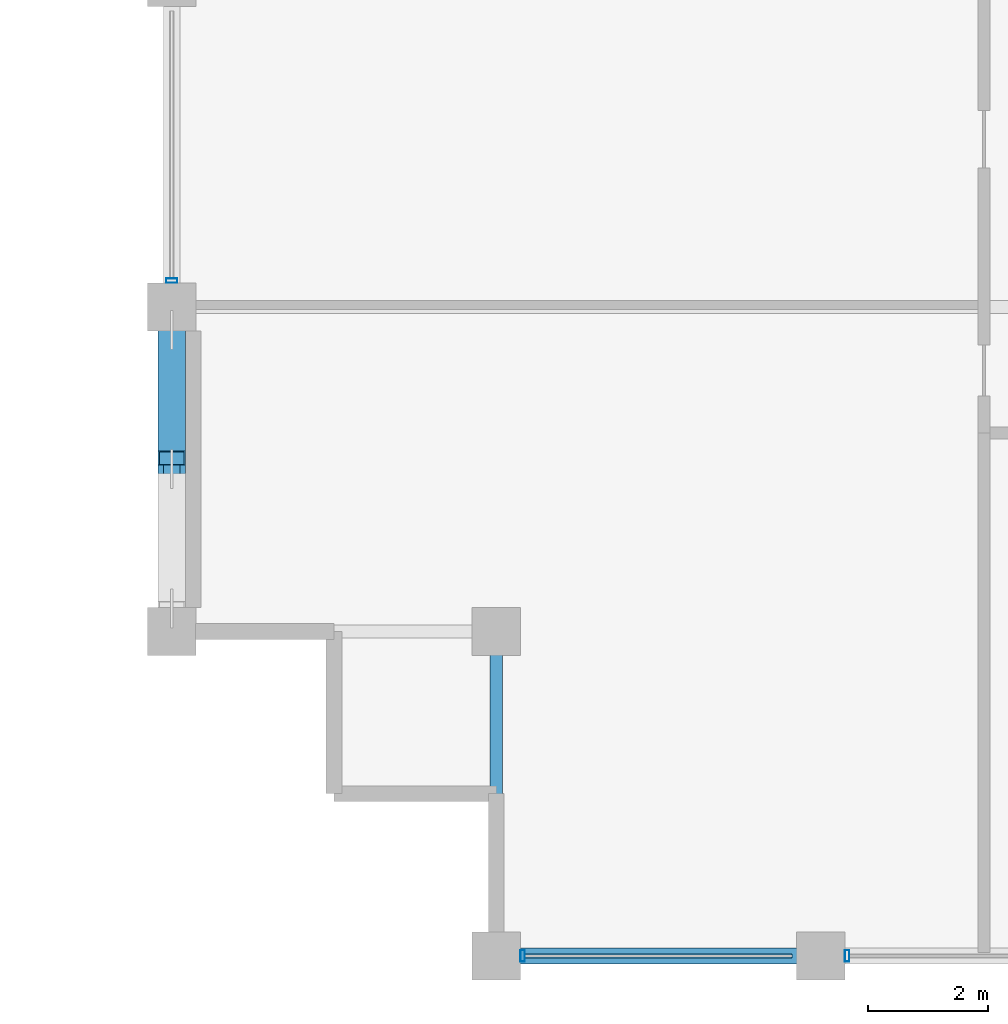
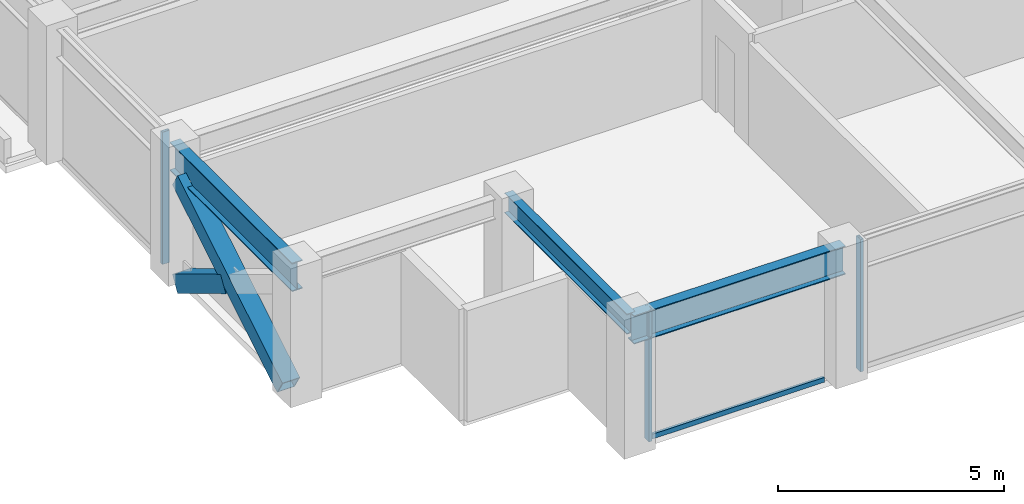
# One storey, part 2 of 28: 6 members, 3 beams, 2 elements without a shape of their own.
"""IFC4 building model written with IfcOpenShell, lengths in metres."""

from ifc_helpers import new_model, si_unit, direction, frame, origin, origin_2d, place, context, subcontext, project, spatial, hollow_rectangle, i_section, extrude, material, layer, layer_set, material_profile, profile_set, type_object, element, aggregate, save


model = new_model("IFC4")

# Units and contexts
model_context = context("Model", 3, precision=1e-05, world=origin(), true_north=direction((0.0, 1.0)))
body_context = subcontext(model_context, "Body", "Model", "MODEL_VIEW")
ifc_project = project(units=[si_unit("LENGTHUNIT", "METRE"), si_unit("AREAUNIT", "SQUARE_METRE"), si_unit("VOLUMEUNIT", "CUBIC_METRE"), si_unit("PLANEANGLEUNIT", "RADIAN"), si_unit("MASSUNIT", "GRAM", prefix="KILO")], contexts=[model_context])

# Site, building, storey
site_placement = place(None, origin())
site = spatial("IfcSite", under=ifc_project, at=site_placement, CompositionType="ELEMENT")
building_placement = place(site_placement, origin())
building = spatial("IfcBuilding", under=site, at=building_placement, Name="Surkhivell Harbour Commons", CompositionType="ELEMENT")
storey_placement = place(building_placement, frame((0.0, 0.0, 238.5)))
storey = spatial("IfcBuildingStorey", under=building, at=storey_placement, Name="L62", CompositionType="ELEMENT", Elevation=238.5)

# Beams
ifc_material_1 = material(Name="Steel S355", Category="steel")
ifc_material_profile_1 = material_profile(ifc_material_1, i_section(OverallWidth=0.2119140625, OverallDepth=0.5439453125, WebThickness=0.0126953125, FlangeThickness=0.021240234375, at=origin_2d()), Name="UB533x210x122")
ifc_profile_set_1 = profile_set([ifc_material_profile_1], Name="Steel S355")
beam_type_1 = type_object("IfcBeamType", Name="BM-GRD-533A", PredefinedType="BEAM", material=ifc_profile_set_1)
beam_1_placement = place(storey_placement, frame((-21.60009765625, -21.60009765625, 3.298095703125), z_axis=(0.0, 1.0, 0.0), x_axis=(-1.0, 0.0, 0.0)))
element("IfcBeam", 1, at=beam_1_placement, inside=storey, type_object=beam_type_1, Name="L62 Floor Girder (-21.6,-21.6)", PredefinedType="BEAM", context=body_context, shape_type="SweptSolid", body=[
    extrude(i_section(OverallWidth=0.2119140625, OverallDepth=0.5439453125, WebThickness=0.0126953125, FlangeThickness=0.021240234375, at=origin_2d()), origin(), (0.0, 0.0, 1.0), 5.400146484375),
])
ifc_material_profile_2 = material_profile(ifc_material_1, i_section(OverallWidth=0.26806640625, OverallDepth=0.77001953125, WebThickness=0.015625, FlangeThickness=0.025390625, at=origin_2d()), Name="UB762x267x197")
ifc_profile_set_2 = profile_set([ifc_material_profile_2], Name="Steel S355")
beam_type_2 = type_object("IfcBeamType", Name="BM-SPN-762", PredefinedType="SPANDREL", material=ifc_profile_set_2)
beam_2_placement = place(storey_placement, frame((-27.0, -16.199951171875, 3.18505859375), z_axis=(0.0, 1.0, 0.0), x_axis=(-1.0, 0.0, 0.0)))
element("IfcBeam", 2, at=beam_2_placement, inside=storey, type_object=beam_type_2, Name="L62 Tube Spandrel (-27.0,-16.2)", PredefinedType="SPANDREL", context=body_context, shape_type="SweptSolid", body=[
    extrude(i_section(OverallWidth=0.26806640625, OverallDepth=0.77001953125, WebThickness=0.015625, FlangeThickness=0.025390625, at=origin_2d()), origin(), (0.0, 0.0, 1.0), 5.39990234375),
])
beam_3_placement = place(storey_placement, frame((-21.60009765625, -21.60009765625, 3.18505859375), z_axis=(1.0, 0.0, 0.0), x_axis=(0.0, 1.0, 0.0)))
element("IfcBeam", 3, at=beam_3_placement, inside=storey, type_object=beam_type_2, Name="L62 Tube Spandrel (-21.6,-21.6)", PredefinedType="SPANDREL", context=body_context, shape_type="SweptSolid", body=[
    extrude(i_section(OverallWidth=0.26806640625, OverallDepth=0.77001953125, WebThickness=0.015625, FlangeThickness=0.025390625, at=origin_2d()), origin(), (0.0, 0.0, 1.0), 5.400146484375),
])

# Curtain wall, members
ifc_material_2 = material(Name="Anodised pale-metal aluminium and insulated glazing", Category="aluminium")
ifc_layer = layer(ifc_material_2, 0.18994140625)
ifc_layer_set = layer_set([ifc_layer], Name="Anodised pale-metal aluminium and insulated glazing")
curtain_wall_type = type_object("IfcCurtainWallType", Name="CW-SYS-Z3", PredefinedType="NOTDEFINED", material=ifc_layer_set)
curtain_wall_1_placement = place(storey_placement, origin())
curtain_wall_1 = element("IfcCurtainWall", 4, at=curtain_wall_1_placement, inside=storey, type_object=curtain_wall_type, Name="L62 Curtain Wall CW-L62-E00S1", PredefinedType="NOTDEFINED")
ifc_material_3 = material(Name="Anodised pale-metal aluminium alloy 6063-T6", Category="aluminium")
ifc_material_profile_3 = material_profile(ifc_material_3, hollow_rectangle(XDim=0.074951171875, YDim=0.18994140625, WallThickness=0.00390625, at=origin_2d()), Name="ALU-MULL-75x190")
ifc_profile_set_3 = profile_set([ifc_material_profile_3], Name="Anodised pale-metal aluminium alloy 6063-T6")
member_type_1 = type_object("IfcMemberType", Name="CWM-190", PredefinedType="MULLION", material=ifc_profile_set_3)
member_1_placement = place(storey_placement, frame((-21.160400390625, -21.60009765625, 0.0), z_axis=(0.0, 0.0, 1.0), x_axis=(1.0, 0.0, 0.0)))
member_1 = element("IfcMember", 5, at=member_1_placement, type_object=member_type_1, Name="CW-Z3 mullion 1", PredefinedType="MULLION", context=body_context, shape_type="SweptSolid", body=[
    extrude(hollow_rectangle(XDim=0.074951171875, YDim=0.18994140625, WallThickness=0.00390625, at=origin_2d()), origin(), (0.0, 0.0, 1.0), 3.570068359375),
])
member_2_placement = place(storey_placement, frame((-15.760498046875, -21.60009765625, 0.0), z_axis=(0.0, 0.0, 1.0), x_axis=(1.0, 0.0, 0.0)))
member_2 = element("IfcMember", 6, at=member_2_placement, type_object=member_type_1, Name="CW-Z3 mullion 2", PredefinedType="MULLION", context=body_context, shape_type="SweptSolid", body=[
    extrude(hollow_rectangle(XDim=0.074951171875, YDim=0.18994140625, WallThickness=0.00390625, at=origin_2d()), origin(), (0.0, 0.0, 1.0), 3.570068359375),
])

# Curtain wall, member
curtain_wall_2_placement = place(storey_placement, origin())
curtain_wall_2 = element("IfcCurtainWall", 7, at=curtain_wall_2_placement, inside=storey, type_object=curtain_wall_type, Name="L62 Curtain Wall CW-L62-E12R1S1", PredefinedType="NOTDEFINED")
member_3_placement = place(storey_placement, frame((-27.0, -10.360595703125, 0.0), z_axis=(0.0, 0.0, 1.0), x_axis=(0.0, 1.0, 0.0)))
member_3 = element("IfcMember", 8, at=member_3_placement, type_object=member_type_1, Name="CW-Z3 mullion 1", PredefinedType="MULLION", context=body_context, shape_type="SweptSolid", body=[
    extrude(hollow_rectangle(XDim=0.074951171875, YDim=0.18994140625, WallThickness=0.00390625, at=origin_2d()), origin(), (0.0, 0.0, 1.0), 3.570068359375),
])
aggregate(curtain_wall_2, [member_3])

# Member
ifc_material_4 = material(Name="Champagne anodised aluminium alloy 6063-T6", Category="aluminium")
ifc_material_profile_4 = material_profile(ifc_material_4, hollow_rectangle(XDim=0.070068359375, YDim=0.1298828125, WallThickness=0.00341796875, at=origin_2d()), Name="ALU-TRAN-70x130")
ifc_profile_set_4 = profile_set([ifc_material_profile_4], Name="Champagne anodised aluminium alloy 6063-T6")
member_type_2 = type_object("IfcMemberType", Name="CWT-130", PredefinedType="USERDEFINED", material=ifc_profile_set_4)
member_4_placement = place(storey_placement, frame((-21.123046875, -21.60009765625, 0.06494140625), z_axis=(1.0, 0.0, 0.0), x_axis=(0.0, 1.0, 0.0)))
member_4 = element("IfcMember", 9, at=member_4_placement, type_object=member_type_2, Name="CW-Z3 transom 1.1", ObjectType="TRANSOM", PredefinedType="USERDEFINED", context=body_context, shape_type="SweptSolid", body=[
    extrude(hollow_rectangle(XDim=0.070068359375, YDim=0.1298828125, WallThickness=0.00341796875, at=origin_2d()), origin(), (0.0, 0.0, 1.0), 4.446044921875),
])

aggregate(curtain_wall_1, [member_1, member_4, member_2])

# Members
ifc_material_5 = material(Name="Steel S460", Category="steel")
ifc_material_profile_5 = material_profile(ifc_material_5, hollow_rectangle(XDim=0.449951171875, YDim=0.449951171875, WallThickness=0.02197265625, at=origin_2d()), Name="SHS450x450x22")
ifc_profile_set_5 = profile_set([ifc_material_profile_5], Name="Steel S460")
member_type_3 = type_object("IfcMemberType", Name="MEM-BRC-SHS450", PredefinedType="BRACE", material=ifc_profile_set_5)
member_5_placement = place(storey_placement, frame((-27.0, -15.81494140625, 0.008056640625), z_axis=(0.0, 0.856023742961, 0.516936506243), x_axis=(-1.0, 0.0, 0.0)))
element("IfcMember", 10, at=member_5_placement, inside=storey, type_object=member_type_3, Name="L62 Perimeter Mega-Brace MB- 10", PredefinedType="BRACE", context=body_context, shape_type="SweptSolid", body=[
    extrude(hollow_rectangle(XDim=0.449951171875, YDim=0.449951171875, WallThickness=0.02197265625, at=origin_2d()), origin(), (0.0, 0.0, 1.0), 5.40869140625),
])
member_6_placement = place(storey_placement, frame((-27.0, -11.18505859375, 0.008056640625), z_axis=(0.0, -0.856061168755, 0.516874525731), x_axis=(1.0, 0.0, 0.0)))
element("IfcMember", 11, at=member_6_placement, inside=storey, type_object=member_type_3, Name="L62 Perimeter Mega-Brace MB- 11", PredefinedType="BRACE", context=body_context, shape_type="SweptSolid", body=[
    extrude(hollow_rectangle(XDim=0.449951171875, YDim=0.449951171875, WallThickness=0.02197265625, at=origin_2d()), origin(), (0.0, 0.0, 1.0), 2.48828125),
])

save(model, "model.ifc")
